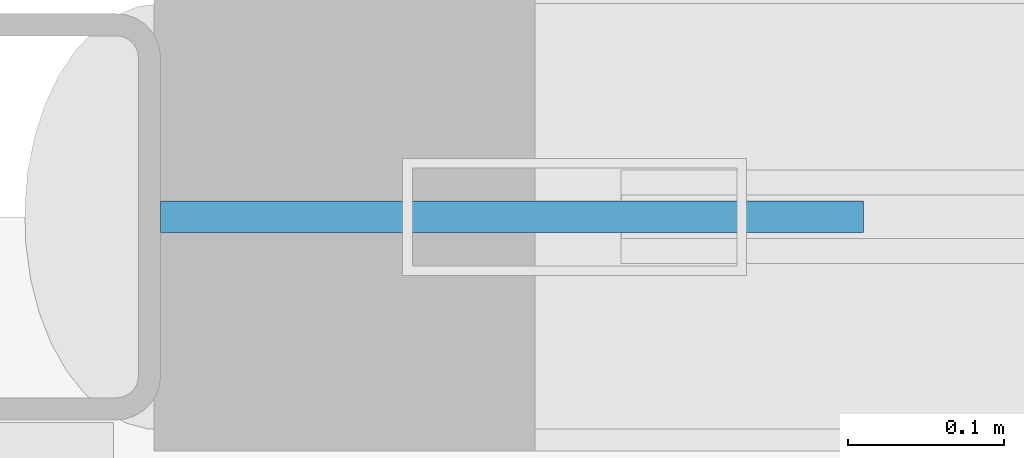
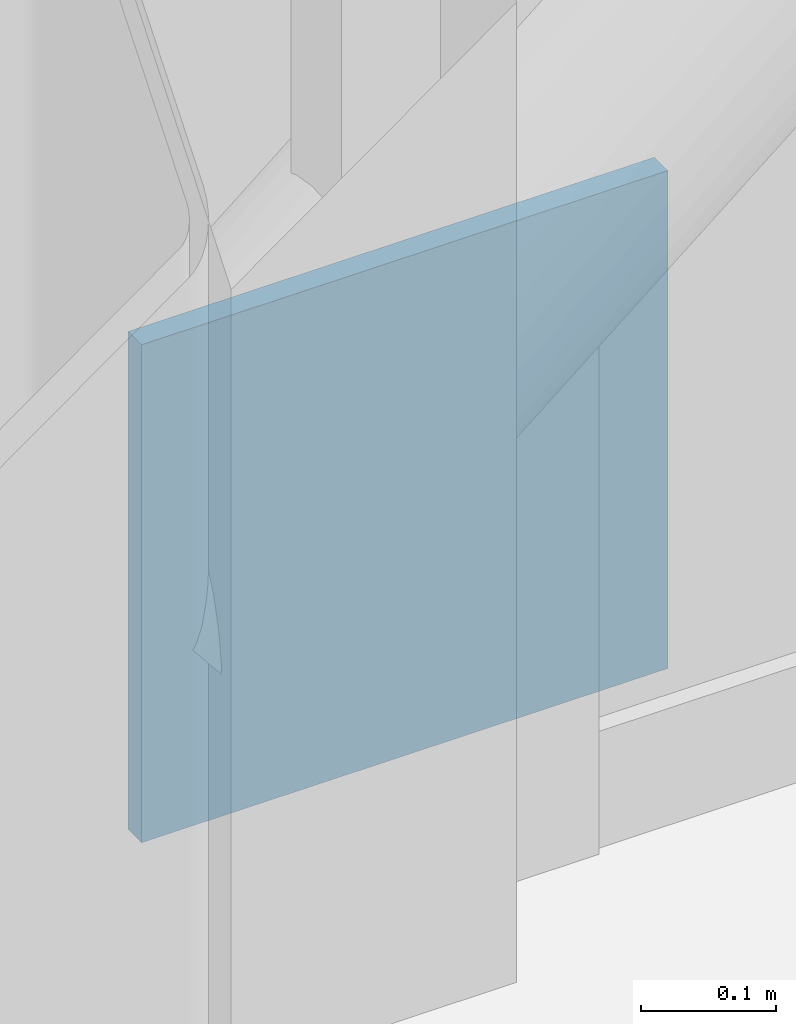
# One storey, part 82 of 100: 1 plate.
"""IFC4 building model written with IfcOpenShell, lengths in metres."""

import ifcopenshell
import ifcopenshell.guid

model = None  # the IFC model being written
_history = None  # IfcOwnerHistory: only IFC2X3 demands one
_inside = {}  # id of a spatial element -> (the spatial element, [elements in it])
_under = {}  # id of a project, library or spatial element -> (it, [spatial elements below it])
_declared = {}  # id of a project -> (the project, [libraries it declares])
_typed = {}  # id of a type object -> (the type object, [elements of that type])
_made_of = {}  # id of a material, layer set ... -> (it, [elements and type objects made of it])


def new_model(schema):
    """Start an empty IFC model of exactly this schema.

    Asked for "IFC4X3", IfcOpenShell would pick the latest addendum, in which some entities
    have other attributes; the version numbers below select the first issue.
    IFC2X3 requires an IfcOwnerHistory on every rooted entity: one is made here for all.
    """
    global model, _history
    if schema == "IFC4X3":
        model = ifcopenshell.file(schema_version=(4, 3, 0, 0))
    else:
        model = ifcopenshell.file(schema=schema)
    _inside.clear()
    _under.clear()
    _declared.clear()
    _typed.clear()
    _made_of.clear()
    _history = None
    if model.schema == "IFC2X3":
        org = make("IfcOrganization", Name="unknown")
        user = make(
            "IfcPersonAndOrganization",
            ThePerson=make("IfcPerson", FamilyName="unknown"),
            TheOrganization=org,
        )
        app = make(
            "IfcApplication",
            ApplicationDeveloper=org,
            Version="unknown",
            ApplicationFullName="unknown",
            ApplicationIdentifier="unknown",
        )
        _history = make(
            "IfcOwnerHistory",
            OwningUser=user,
            OwningApplication=app,
            ChangeAction="ADDED",
            CreationDate=0,
        )
    return model


def make(cls, **values):
    """One entity of the class cls with the attributes given. An attribute that is None is left unset."""
    return model.create_entity(
        cls, **{name: value for name, value in values.items() if value is not None}
    )


def rooted(cls, **values):
    """An entity with a GlobalId (a new one), such as an element, a storey or a relation."""
    return make(cls, GlobalId=ifcopenshell.guid.new(), OwnerHistory=_history, **values)


def si_unit(unit_type, name, prefix=None):
    """IfcSIUnit, for example si_unit("LENGTHUNIT", "METRE", prefix="MILLI")."""
    return make("IfcSIUnit", UnitType=unit_type, Prefix=prefix, Name=name)


def assignment(units):
    """IfcUnitAssignment: the units of a project."""
    return None if units is None else make("IfcUnitAssignment", Units=units)


def point(xyz):
    """IfcCartesianPoint."""
    return None if xyz is None else make("IfcCartesianPoint", Coordinates=xyz)


def direction(xyz):
    """IfcDirection."""
    return None if xyz is None else make("IfcDirection", DirectionRatios=xyz)


def frame(location, z_axis=None, x_axis=None):
    """IfcAxis2Placement3D, a coordinate frame: its origin and axes. An axis left out is left unset."""
    return make(
        "IfcAxis2Placement3D",
        Location=point(location),
        Axis=direction(z_axis),
        RefDirection=direction(x_axis),
    )


def frame_2d(location, x_axis=None):
    """IfcAxis2Placement2D, a coordinate frame in the plane: its origin and x axis."""
    return make(
        "IfcAxis2Placement2D", Location=point(location), RefDirection=direction(x_axis)
    )


def origin():
    """The frame at (0, 0, 0) with its axes left unset."""
    return frame((0.0, 0.0, 0.0))


def origin_2d():
    """The frame at (0, 0) in the plane with its x axis left unset."""
    return frame_2d((0.0, 0.0))


def place(relative_to, where):
    """IfcLocalPlacement: puts the frame where relative to a parent placement (None: the world)."""
    return make(
        "IfcLocalPlacement", PlacementRelTo=relative_to, RelativePlacement=where
    )


def context(
    kind, dimensions, precision=None, world=None, true_north=None, identifier=None
):
    """IfcGeometricRepresentationContext, for example the 3D "Model" context."""
    return make(
        "IfcGeometricRepresentationContext",
        ContextIdentifier=identifier,
        ContextType=kind,
        CoordinateSpaceDimension=dimensions,
        Precision=precision,
        WorldCoordinateSystem=world,
        TrueNorth=true_north,
    )


def subcontext(parent, identifier, kind, view, scale=None):
    """IfcGeometricRepresentationSubContext, for example "Body" below "Model"."""
    return make(
        "IfcGeometricRepresentationSubContext",
        ContextIdentifier=identifier,
        ContextType=kind,
        ParentContext=parent,
        TargetScale=scale,
        TargetView=view,
    )


def project(units=None, contexts=None):
    """IfcProject with its units and contexts."""
    return rooted(
        "IfcProject",
        Name="project",
        RepresentationContexts=contexts,
        UnitsInContext=assignment(units),
    )


def spatial(cls, under=None, at=None, **own):
    """A site, building, storey or space (cls), placed at a placement, below another one or the project."""
    s = rooted(cls, ObjectPlacement=at, **own)
    if under is not None:
        _under.setdefault(under.id(), (under, []))[1].append(s)
    return s


def profile(cls, at=None, kind="AREA", **sizes):
    """A parametric profile (cls). Its sizes go by their IFC names, for example OverallWidth=200.0."""
    return make(cls, ProfileType=kind, Position=at, **sizes)


def rectangle(**sizes):
    """IfcRectangleProfileDef."""
    return profile("IfcRectangleProfileDef", **sizes)


def extrude(swept, where, along, depth):
    """IfcExtrudedAreaSolid: the profile swept, set in the frame where, extruded along a direction by depth."""
    return make(
        "IfcExtrudedAreaSolid",
        SweptArea=swept,
        Position=where,
        ExtrudedDirection=direction(along),
        Depth=depth,
    )


def shape(context_of_items, identifier, shape_type, items):
    """IfcShapeRepresentation: the items that make up one representation, for example the "Body"."""
    return make(
        "IfcShapeRepresentation",
        ContextOfItems=context_of_items,
        RepresentationIdentifier=identifier,
        RepresentationType=shape_type,
        Items=items,
    )


def material(Name=None, Category=None):
    """IfcMaterial."""
    return make("IfcMaterial", Name=Name, Category=Category)


def layer(
    of_material, thickness, ventilated=None, Name=None, Category=None, Priority=None
):
    """IfcMaterialLayer: one layer of a wall or slab, of a material (None: an air gap)."""
    return make(
        "IfcMaterialLayer",
        Material=of_material,
        LayerThickness=thickness,
        IsVentilated=ventilated,
        Name=Name,
        Category=Category,
        Priority=Priority,
    )


def layer_set(layers, Name=None):
    """IfcMaterialLayerSet."""
    return make("IfcMaterialLayerSet", MaterialLayers=layers, LayerSetName=Name)


def made_of(thing, what):
    """Note that an element or type object is made of a material, layer set ...; save() writes the relation."""
    if what is not None:
        _made_of.setdefault(what.id(), (what, []))[1].append(thing)
    return thing


def type_object(cls, material=None, **own):
    """A type object (cls), such as IfcWallType, which elements share."""
    return made_of(rooted(cls, **own), material)


def element(
    cls,
    number,
    at=None,
    inside=None,
    cuts=None,
    type_object=None,
    material=None,
    context=None,
    identifier="Body",
    shape_type=None,
    held_by="IfcProductDefinitionShape",
    body=None,
    shapes=None,
    **own,
):
    """One element of the class cls, such as IfcWall. Its Tag is "e" and its number.

    at: its placement. inside: the storey or other place that contains it. cuts: it is an
    opening in that element (IfcRelVoidsElement). A single representation is given by context,
    identifier, shape_type and body (its items); several are given by shapes. held_by: the class
    of the entity that holds the representations. save() writes the other relations.
    """
    e = rooted(cls, Tag="e%d" % number, ObjectPlacement=at, **own)
    if body is not None:
        shapes = [shape(context, identifier, shape_type, body)]
    if shapes is not None:
        e.Representation = make(held_by, Representations=shapes)
    if inside is not None:
        _inside.setdefault(inside.id(), (inside, []))[1].append(e)
    if cuts is not None:
        rooted(
            "IfcRelVoidsElement", RelatingBuildingElement=cuts, RelatedOpeningElement=e
        )
    if type_object is not None:
        _typed.setdefault(type_object.id(), (type_object, []))[1].append(e)
    return made_of(e, material)


def aggregate(whole, parts):
    """IfcRelAggregates: a whole, such as a stair, and the parts it consists of."""
    return rooted("IfcRelAggregates", RelatingObject=whole, RelatedObjects=parts)


def save(model, path):
    """Write the relations noted so far, then the file.

    IfcRelAggregates (storeys below a building ...), IfcRelContainedInSpatialStructure (elements
    in a storey), IfcRelDefinesByType, IfcRelAssociatesMaterial and IfcRelDeclares: one each for
    every whole, place, type object, material and project.
    """
    for whole, parts in _under.values():
        aggregate(whole, parts)
    for where, things in _inside.values():
        rooted(
            "IfcRelContainedInSpatialStructure",
            RelatedElements=things,
            RelatingStructure=where,
        )
    for kind, things in _typed.values():
        rooted("IfcRelDefinesByType", RelatedObjects=things, RelatingType=kind)
    for what, things in _made_of.values():
        rooted("IfcRelAssociatesMaterial", RelatedObjects=things, RelatingMaterial=what)
    for by, libraries in _declared.values():
        rooted("IfcRelDeclares", RelatingContext=by, RelatedDefinitions=libraries)
    model.write(path)


model = new_model("IFC4")

# Units and contexts
model_context = context("Model", 3, precision=1e-05, world=origin(), true_north=direction((0.0, 1.0)))
body_context = subcontext(model_context, "Body", "Model", "MODEL_VIEW")
ifc_project = project(units=[si_unit("LENGTHUNIT", "METRE"), si_unit("AREAUNIT", "SQUARE_METRE"), si_unit("VOLUMEUNIT", "CUBIC_METRE"), si_unit("PLANEANGLEUNIT", "RADIAN"), si_unit("MASSUNIT", "GRAM", prefix="KILO")], contexts=[model_context])

# Site, building, storey
site_placement = place(None, origin())
site = spatial("IfcSite", under=ifc_project, at=site_placement, CompositionType="ELEMENT")
building_placement = place(site_placement, origin())
building = spatial("IfcBuilding", under=site, at=building_placement, Name="Tasgan Crest Museum", CompositionType="ELEMENT")
storey_placement = place(building_placement, frame((0.0, 0.0, 14.39990234375)))
storey = spatial("IfcBuildingStorey", under=building, at=storey_placement, Name="L03", CompositionType="ELEMENT", Elevation=14.39990234375)

# Plate
ifc_material = material(Name="Steel S355K2", Category="steel")
ifc_layer = layer(ifc_material, 0.02001953125, Name="PL-GUSSET-450")
ifc_layer_set = layer_set([ifc_layer], Name="Steel S355K2")
plate_type = type_object("IfcPlateType", Name="PL-GUSSET-450", PredefinedType="USERDEFINED", material=ifc_layer_set)
plate_placement = place(storey_placement, frame((21.955078125, 112.0, 0.125), z_axis=(0.0, 0.0, 1.0), x_axis=(1.0, 0.0, 0.0)))
element("IfcPlate", 1, at=plate_placement, inside=storey, type_object=plate_type, Name="Diagonal gusset plate L03 M 21.6", ObjectType="GUSSET PLATE", PredefinedType="USERDEFINED", context=body_context, shape_type="SweptSolid", body=[
    extrude(rectangle(XDim=0.449951171875, YDim=0.02001953125, at=origin_2d()), origin(), (0.0, 0.0, 1.0), 0.449951171875),
])

save(model, "model.ifc")
